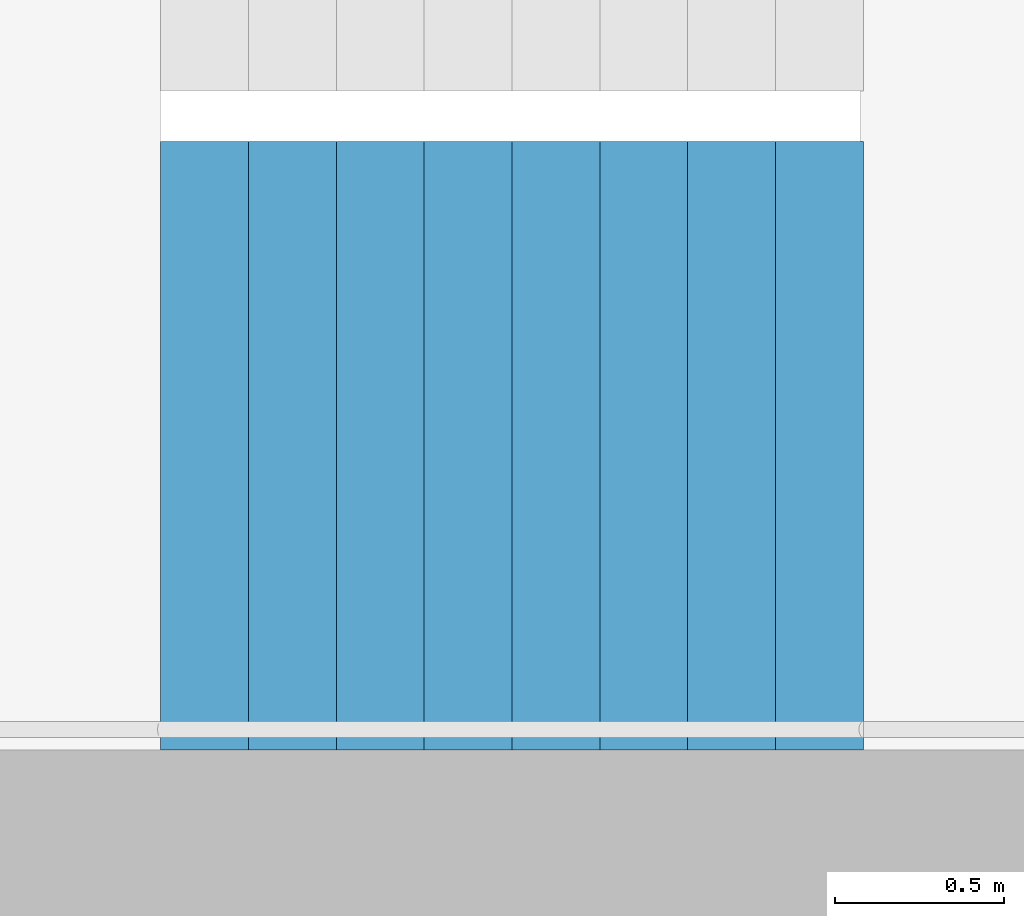
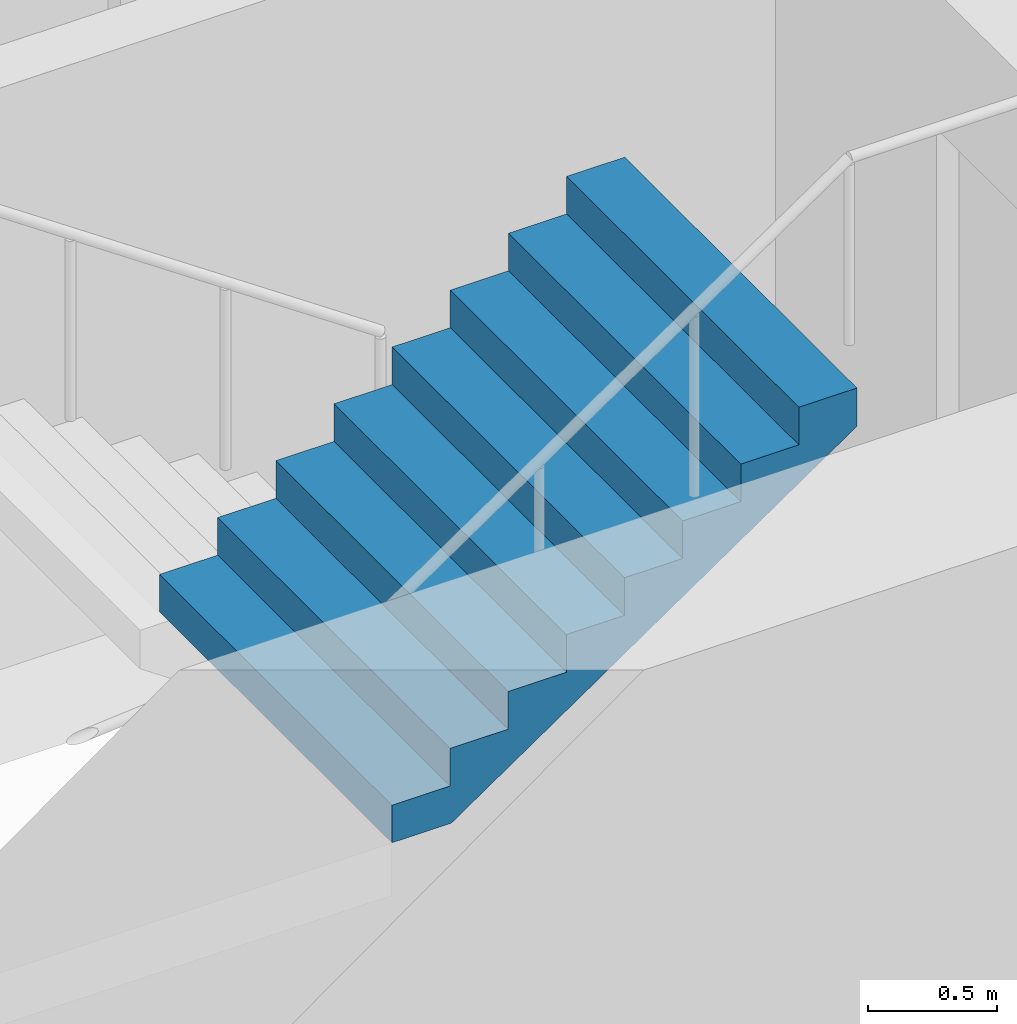
# One storey, part 18 of 26: 1 stair flight, 1 element without a shape of its own.
"""IFC4 building model written with IfcOpenShell, lengths in metres."""

from ifc_helpers import new_model, si_unit, direction, frame, origin, place, context, subcontext, project, spatial, triangles, material, type_object, element, aggregate, save


model = new_model("IFC4")

# Units and contexts
model_context = context("Model", 3, precision=1e-05, world=origin(), true_north=direction((0.0, 1.0)))
body_context = subcontext(model_context, "Body", "Model", "MODEL_VIEW")
ifc_project = project(units=[si_unit("LENGTHUNIT", "METRE"), si_unit("AREAUNIT", "SQUARE_METRE"), si_unit("VOLUMEUNIT", "CUBIC_METRE"), si_unit("PLANEANGLEUNIT", "RADIAN"), si_unit("MASSUNIT", "GRAM", prefix="KILO")], contexts=[model_context])

# Site, building, storey
site_placement = place(None, origin())
site = spatial("IfcSite", under=ifc_project, at=site_placement, CompositionType="ELEMENT")
building_placement = place(site_placement, origin())
building = spatial("IfcBuilding", under=site, at=building_placement, Name="Hakoniwa Tower and Hamabe Station Hall", CompositionType="ELEMENT")
storey_placement = place(building_placement, frame((0.0, 0.0, 159.800048828125)))
storey = spatial("IfcBuildingStorey", under=building, at=storey_placement, Name="L45", CompositionType="ELEMENT", Elevation=159.800048828125)

# Stair, stair flight
ifc_material_1 = material(Name="Concrete C40", Category="concrete")
stair_type = type_object("IfcStairType", Name="ESCAPE STAIR 1800", PredefinedType="HALF_TURN_STAIR", material=ifc_material_1)
stair_placement = place(storey_placement, origin())
stair = element("IfcStair", 1, at=stair_placement, inside=storey, type_object=stair_type, Name="Escape stair ST-2 L45", PredefinedType="HALF_TURN_STAIR")
ifc_material_2 = material(Name="Concrete C40", Category="concrete")
stair_flight_type = type_object("IfcStairFlightType", Name="STAIR FLIGHT 1800", PredefinedType="STRAIGHT", material=ifc_material_2)
stair_flight_placement = place(storey_placement, frame((-25.47998046875, -6.60009765625, 1.599853515625), z_axis=(0.0, 0.0, 1.0), x_axis=(1.0, 0.0, 0.0)))
stair_flight = element("IfcStairFlight", 2, at=stair_flight_placement, type_object=stair_flight_type, Name="ST-2 flight 2", NumberOfRisers=9, NumberOfTreads=8, PredefinedType="STRAIGHT", RiserHeight=0.177777778, TreadLength=0.26, context=body_context, shape_type="Tessellation", body=[
    triangles([(0.0, 0.89990234375, 0.0), (0.260009765625, 0.89990234375, 0.0), (0.265625, 0.89990234375, 0.0), (0.52001953125, 0.89990234375, 0.174072265625), (0.780029296875, 0.89990234375, 0.351806640625), (1.0400390625, 0.89990234375, 0.529541015625), (1.300048828125, 0.89990234375, 0.707275390625), (1.56005859375, 0.89990234375, 0.885009765625), (1.820068359375, 0.89990234375, 1.062744140625), (2.080078125, 0.89990234375, 1.24072265625), (2.080078125, 0.89990234375, 1.422119140625), (1.820068359375, 0.89990234375, 1.422119140625), (1.820068359375, 0.89990234375, 1.244384765625), (1.56005859375, 0.89990234375, 1.244384765625), (1.56005859375, 0.89990234375, 1.066650390625), (1.300048828125, 0.89990234375, 1.066650390625), (1.300048828125, 0.89990234375, 0.888916015625), (1.0400390625, 0.89990234375, 0.888916015625), (1.0400390625, 0.89990234375, 0.711181640625), (0.780029296875, 0.89990234375, 0.711181640625), (0.780029296875, 0.89990234375, 0.533447265625), (0.52001953125, 0.89990234375, 0.533447265625), (0.52001953125, 0.89990234375, 0.35546875), (0.265625, 0.89990234375, 0.35546875), (0.260009765625, 0.89990234375, 0.35546875), (0.260009765625, 0.89990234375, 0.177734375), (0.0, 0.89990234375, 0.177734375), (0.0, 0.06005859375, 0.0), (0.260009765625, 0.06005859375, 0.0), (0.265625, 0.06005859375, 0.0), (0.52001953125, 0.06005859375, 0.174072265625), (0.780029296875, 0.06005859375, 0.351806640625), (1.0400390625, 0.06005859375, 0.529541015625), (1.300048828125, 0.06005859375, 0.707275390625), (1.56005859375, 0.06005859375, 0.885009765625), (1.820068359375, 0.06005859375, 1.062744140625), (2.080078125, 0.06005859375, 1.24072265625), (2.080078125, 0.06005859375, 1.422119140625), (1.820068359375, 0.06005859375, 1.422119140625), (1.820068359375, 0.06005859375, 1.244384765625), (1.56005859375, 0.06005859375, 1.244384765625), (1.56005859375, 0.06005859375, 1.066650390625), (1.300048828125, 0.06005859375, 1.066650390625), (1.300048828125, 0.06005859375, 0.888916015625), (1.0400390625, 0.06005859375, 0.888916015625), (1.0400390625, 0.06005859375, 0.711181640625), (0.780029296875, 0.06005859375, 0.711181640625), (0.780029296875, 0.06005859375, 0.533447265625), (0.52001953125, 0.06005859375, 0.533447265625), (0.52001953125, 0.06005859375, 0.35546875), (0.265625, 0.06005859375, 0.35546875), (0.260009765625, 0.06005859375, 0.35546875), (0.260009765625, 0.06005859375, 0.177734375), (0.0, 0.06005859375, 0.177734375), (0.0, 0.04296875, 0.0), (0.260009765625, 0.04296875, 0.0), (0.265625, 0.04296875, 0.0), (0.52001953125, 0.04296875, 0.174072265625), (0.780029296875, 0.04296875, 0.351806640625), (1.0400390625, 0.04296875, 0.529541015625), (1.300048828125, 0.04296875, 0.707275390625), (1.56005859375, 0.04296875, 0.885009765625), (1.820068359375, 0.04296875, 1.062744140625), (2.080078125, 0.04296875, 1.24072265625), (2.080078125, 0.04296875, 1.422119140625), (1.820068359375, 0.04296875, 1.422119140625), (1.820068359375, 0.04296875, 1.244384765625), (1.56005859375, 0.04296875, 1.244384765625), (1.56005859375, 0.04296875, 1.066650390625), (1.300048828125, 0.04296875, 1.066650390625), (1.300048828125, 0.04296875, 0.888916015625), (1.0400390625, 0.04296875, 0.888916015625), (1.0400390625, 0.04296875, 0.711181640625), (0.780029296875, 0.04296875, 0.711181640625), (0.780029296875, 0.04296875, 0.533447265625), (0.52001953125, 0.04296875, 0.533447265625), (0.52001953125, 0.04296875, 0.35546875), (0.265625, 0.04296875, 0.35546875), (0.260009765625, 0.04296875, 0.35546875), (0.260009765625, 0.04296875, 0.177734375), (0.0, 0.04296875, 0.177734375), (0.0, 0.025634765625, 0.0), (0.260009765625, 0.025634765625, 0.0), (0.265625, 0.025634765625, 0.0), (0.52001953125, 0.025634765625, 0.174072265625), (0.780029296875, 0.025634765625, 0.351806640625), (1.0400390625, 0.025634765625, 0.529541015625), (1.300048828125, 0.025634765625, 0.707275390625), (1.56005859375, 0.025634765625, 0.885009765625), (1.820068359375, 0.025634765625, 1.062744140625), (2.080078125, 0.025634765625, 1.24072265625), (2.080078125, 0.025634765625, 1.422119140625), (1.820068359375, 0.025634765625, 1.422119140625), (1.820068359375, 0.025634765625, 1.244384765625), (1.56005859375, 0.025634765625, 1.244384765625), (1.56005859375, 0.025634765625, 1.066650390625), (1.300048828125, 0.025634765625, 1.066650390625), (1.300048828125, 0.025634765625, 0.888916015625), (1.0400390625, 0.025634765625, 0.888916015625), (1.0400390625, 0.025634765625, 0.711181640625), (0.780029296875, 0.025634765625, 0.711181640625), (0.780029296875, 0.025634765625, 0.533447265625), (0.52001953125, 0.025634765625, 0.533447265625), (0.52001953125, 0.025634765625, 0.35546875), (0.265625, 0.025634765625, 0.35546875), (0.260009765625, 0.025634765625, 0.35546875), (0.260009765625, 0.025634765625, 0.177734375), (0.0, 0.025634765625, 0.177734375), (0.0, 0.008544921875, 0.0), (0.260009765625, 0.008544921875, 0.0), (0.265625, 0.008544921875, 0.0), (0.52001953125, 0.008544921875, 0.174072265625), (0.780029296875, 0.008544921875, 0.351806640625), (1.0400390625, 0.008544921875, 0.529541015625), (1.300048828125, 0.008544921875, 0.707275390625), (1.56005859375, 0.008544921875, 0.885009765625), (1.820068359375, 0.008544921875, 1.062744140625), (2.080078125, 0.008544921875, 1.24072265625), (2.080078125, 0.008544921875, 1.422119140625), (1.820068359375, 0.008544921875, 1.422119140625), (1.820068359375, 0.008544921875, 1.244384765625), (1.56005859375, 0.008544921875, 1.244384765625), (1.56005859375, 0.008544921875, 1.066650390625), (1.300048828125, 0.008544921875, 1.066650390625), (1.300048828125, 0.008544921875, 0.888916015625), (1.0400390625, 0.008544921875, 0.888916015625), (1.0400390625, 0.008544921875, 0.711181640625), (0.780029296875, 0.008544921875, 0.711181640625), (0.780029296875, 0.008544921875, 0.533447265625), (0.52001953125, 0.008544921875, 0.533447265625), (0.52001953125, 0.008544921875, 0.35546875), (0.265625, 0.008544921875, 0.35546875), (0.260009765625, 0.008544921875, 0.35546875), (0.260009765625, 0.008544921875, 0.177734375), (0.0, 0.008544921875, 0.177734375), (0.0, -0.008544921875, 0.0), (0.260009765625, -0.008544921875, 0.0), (0.265625, -0.008544921875, 0.0), (0.52001953125, -0.008544921875, 0.174072265625), (0.780029296875, -0.008544921875, 0.351806640625), (1.0400390625, -0.008544921875, 0.529541015625), (1.300048828125, -0.008544921875, 0.707275390625), (1.56005859375, -0.008544921875, 0.885009765625), (1.820068359375, -0.008544921875, 1.062744140625), (2.080078125, -0.008544921875, 1.24072265625), (2.080078125, -0.008544921875, 1.422119140625), (1.820068359375, -0.008544921875, 1.422119140625), (1.820068359375, -0.008544921875, 1.244384765625), (1.56005859375, -0.008544921875, 1.244384765625), (1.56005859375, -0.008544921875, 1.066650390625), (1.300048828125, -0.008544921875, 1.066650390625), (1.300048828125, -0.008544921875, 0.888916015625), (1.0400390625, -0.008544921875, 0.888916015625), (1.0400390625, -0.008544921875, 0.711181640625), (0.780029296875, -0.008544921875, 0.711181640625), (0.780029296875, -0.008544921875, 0.533447265625), (0.52001953125, -0.008544921875, 0.533447265625), (0.52001953125, -0.008544921875, 0.35546875), (0.265625, -0.008544921875, 0.35546875), (0.260009765625, -0.008544921875, 0.35546875), (0.260009765625, -0.008544921875, 0.177734375), (0.0, -0.008544921875, 0.177734375), (0.0, -0.025634765625, 0.0), (0.260009765625, -0.025634765625, 0.0), (0.265625, -0.025634765625, 0.0), (0.52001953125, -0.025634765625, 0.174072265625), (0.780029296875, -0.025634765625, 0.351806640625), (1.0400390625, -0.025634765625, 0.529541015625), (1.300048828125, -0.025634765625, 0.707275390625), (1.56005859375, -0.025634765625, 0.885009765625), (1.820068359375, -0.025634765625, 1.062744140625), (2.080078125, -0.025634765625, 1.24072265625), (2.080078125, -0.025634765625, 1.422119140625), (1.820068359375, -0.025634765625, 1.422119140625), (1.820068359375, -0.025634765625, 1.244384765625), (1.56005859375, -0.025634765625, 1.244384765625), (1.56005859375, -0.025634765625, 1.066650390625), (1.300048828125, -0.025634765625, 1.066650390625), (1.300048828125, -0.025634765625, 0.888916015625), (1.0400390625, -0.025634765625, 0.888916015625), (1.0400390625, -0.025634765625, 0.711181640625), (0.780029296875, -0.025634765625, 0.711181640625), (0.780029296875, -0.025634765625, 0.533447265625), (0.52001953125, -0.025634765625, 0.533447265625), (0.52001953125, -0.025634765625, 0.35546875), (0.265625, -0.025634765625, 0.35546875), (0.260009765625, -0.025634765625, 0.35546875), (0.260009765625, -0.025634765625, 0.177734375), (0.0, -0.025634765625, 0.177734375), (0.0, -0.04296875, 0.0), (0.260009765625, -0.04296875, 0.0), (0.265625, -0.04296875, 0.0), (0.52001953125, -0.04296875, 0.174072265625), (0.780029296875, -0.04296875, 0.351806640625), (1.0400390625, -0.04296875, 0.529541015625), (1.300048828125, -0.04296875, 0.707275390625), (1.56005859375, -0.04296875, 0.885009765625), (1.820068359375, -0.04296875, 1.062744140625), (2.080078125, -0.04296875, 1.24072265625), (2.080078125, -0.04296875, 1.422119140625), (1.820068359375, -0.04296875, 1.422119140625), (1.820068359375, -0.04296875, 1.244384765625), (1.56005859375, -0.04296875, 1.244384765625), (1.56005859375, -0.04296875, 1.066650390625), (1.300048828125, -0.04296875, 1.066650390625), (1.300048828125, -0.04296875, 0.888916015625), (1.0400390625, -0.04296875, 0.888916015625), (1.0400390625, -0.04296875, 0.711181640625), (0.780029296875, -0.04296875, 0.711181640625), (0.780029296875, -0.04296875, 0.533447265625), (0.52001953125, -0.04296875, 0.533447265625), (0.52001953125, -0.04296875, 0.35546875), (0.265625, -0.04296875, 0.35546875), (0.260009765625, -0.04296875, 0.35546875), (0.260009765625, -0.04296875, 0.177734375), (0.0, -0.04296875, 0.177734375), (0.0, -0.06005859375, 0.0), (0.260009765625, -0.06005859375, 0.0), (0.265625, -0.06005859375, 0.0), (0.52001953125, -0.06005859375, 0.174072265625), (0.780029296875, -0.06005859375, 0.351806640625), (1.0400390625, -0.06005859375, 0.529541015625), (1.300048828125, -0.06005859375, 0.707275390625), (1.56005859375, -0.06005859375, 0.885009765625), (1.820068359375, -0.06005859375, 1.062744140625), (2.080078125, -0.06005859375, 1.24072265625), (2.080078125, -0.06005859375, 1.422119140625), (1.820068359375, -0.06005859375, 1.422119140625), (1.820068359375, -0.06005859375, 1.244384765625), (1.56005859375, -0.06005859375, 1.244384765625), (1.56005859375, -0.06005859375, 1.066650390625), (1.300048828125, -0.06005859375, 1.066650390625), (1.300048828125, -0.06005859375, 0.888916015625), (1.0400390625, -0.06005859375, 0.888916015625), (1.0400390625, -0.06005859375, 0.711181640625), (0.780029296875, -0.06005859375, 0.711181640625), (0.780029296875, -0.06005859375, 0.533447265625), (0.52001953125, -0.06005859375, 0.533447265625), (0.52001953125, -0.06005859375, 0.35546875), (0.265625, -0.06005859375, 0.35546875), (0.260009765625, -0.06005859375, 0.35546875), (0.260009765625, -0.06005859375, 0.177734375), (0.0, -0.06005859375, 0.177734375), (0.0, -0.89990234375, 0.0), (0.260009765625, -0.89990234375, 0.0), (0.265625, -0.89990234375, 0.0), (0.52001953125, -0.89990234375, 0.174072265625), (0.780029296875, -0.89990234375, 0.351806640625), (1.0400390625, -0.89990234375, 0.529541015625), (1.300048828125, -0.89990234375, 0.707275390625), (1.56005859375, -0.89990234375, 0.885009765625), (1.820068359375, -0.89990234375, 1.062744140625), (2.080078125, -0.89990234375, 1.24072265625), (2.080078125, -0.89990234375, 1.422119140625), (1.820068359375, -0.89990234375, 1.422119140625), (1.820068359375, -0.89990234375, 1.244384765625), (1.56005859375, -0.89990234375, 1.244384765625), (1.56005859375, -0.89990234375, 1.066650390625), (1.300048828125, -0.89990234375, 1.066650390625), (1.300048828125, -0.89990234375, 0.888916015625), (1.0400390625, -0.89990234375, 0.888916015625), (1.0400390625, -0.89990234375, 0.711181640625), (0.780029296875, -0.89990234375, 0.711181640625), (0.780029296875, -0.89990234375, 0.533447265625), (0.52001953125, -0.89990234375, 0.533447265625), (0.52001953125, -0.89990234375, 0.35546875), (0.265625, -0.89990234375, 0.35546875), (0.260009765625, -0.89990234375, 0.35546875), (0.260009765625, -0.89990234375, 0.177734375), (0.0, -0.89990234375, 0.177734375)], [[2, 27, 26], [245, 269, 270], [2, 1, 27], [245, 270, 244], [3, 25, 24], [246, 267, 268], [3, 26, 25], [246, 268, 269], [3, 2, 26], [246, 269, 245], [4, 24, 23], [247, 266, 267], [4, 3, 24], [247, 267, 246], [5, 22, 21], [248, 264, 265], [5, 23, 22], [248, 265, 266], [5, 4, 23], [248, 266, 247], [6, 20, 19], [249, 262, 263], [6, 21, 20], [249, 263, 264], [6, 5, 21], [249, 264, 248], [7, 18, 17], [250, 260, 261], [7, 19, 18], [250, 261, 262], [7, 6, 19], [250, 262, 249], [8, 16, 15], [251, 258, 259], [8, 17, 16], [251, 259, 260], [8, 7, 17], [251, 260, 250], [9, 14, 13], [252, 256, 257], [9, 15, 14], [252, 257, 258], [9, 8, 15], [252, 258, 251], [10, 12, 11], [253, 254, 255], [10, 13, 12], [253, 255, 256], [10, 9, 13], [253, 256, 252], [1, 2, 29], [1, 29, 28], [28, 29, 56], [28, 56, 55], [55, 56, 83], [55, 83, 82], [82, 83, 110], [82, 110, 109], [109, 110, 137], [109, 137, 136], [136, 137, 164], [136, 164, 163], [163, 164, 191], [163, 191, 190], [190, 191, 218], [190, 218, 217], [217, 218, 245], [217, 245, 244], [2, 3, 30], [2, 30, 29], [29, 30, 57], [29, 57, 56], [56, 57, 84], [56, 84, 83], [83, 84, 111], [83, 111, 110], [110, 111, 138], [110, 138, 137], [137, 138, 165], [137, 165, 164], [164, 165, 192], [164, 192, 191], [191, 192, 219], [191, 219, 218], [218, 219, 246], [218, 246, 245], [3, 4, 31], [3, 31, 30], [30, 31, 58], [30, 58, 57], [57, 58, 85], [57, 85, 84], [84, 85, 112], [84, 112, 111], [111, 112, 139], [111, 139, 138], [138, 139, 166], [138, 166, 165], [165, 166, 193], [165, 193, 192], [192, 193, 220], [192, 220, 219], [219, 220, 247], [219, 247, 246], [4, 5, 32], [4, 32, 31], [31, 32, 59], [31, 59, 58], [58, 59, 86], [58, 86, 85], [85, 86, 113], [85, 113, 112], [112, 113, 140], [112, 140, 139], [139, 140, 167], [139, 167, 166], [166, 167, 194], [166, 194, 193], [193, 194, 221], [193, 221, 220], [220, 221, 248], [220, 248, 247], [5, 6, 33], [5, 33, 32], [32, 33, 60], [32, 60, 59], [59, 60, 87], [59, 87, 86], [86, 87, 114], [86, 114, 113], [113, 114, 141], [113, 141, 140], [140, 141, 168], [140, 168, 167], [167, 168, 195], [167, 195, 194], [194, 195, 222], [194, 222, 221], [221, 222, 249], [221, 249, 248], [6, 7, 34], [6, 34, 33], [33, 34, 61], [33, 61, 60], [60, 61, 88], [60, 88, 87], [87, 88, 115], [87, 115, 114], [114, 115, 142], [114, 142, 141], [141, 142, 169], [141, 169, 168], [168, 169, 196], [168, 196, 195], [195, 196, 223], [195, 223, 222], [222, 223, 250], [222, 250, 249], [7, 8, 35], [7, 35, 34], [34, 35, 62], [34, 62, 61], [61, 62, 89], [61, 89, 88], [88, 89, 116], [88, 116, 115], [115, 116, 143], [115, 143, 142], [142, 143, 170], [142, 170, 169], [169, 170, 197], [169, 197, 196], [196, 197, 224], [196, 224, 223], [223, 224, 251], [223, 251, 250], [8, 9, 36], [8, 36, 35], [35, 36, 63], [35, 63, 62], [62, 63, 90], [62, 90, 89], [89, 90, 117], [89, 117, 116], [116, 117, 144], [116, 144, 143], [143, 144, 171], [143, 171, 170], [170, 171, 198], [170, 198, 197], [197, 198, 225], [197, 225, 224], [224, 225, 252], [224, 252, 251], [9, 10, 37], [9, 37, 36], [36, 37, 64], [36, 64, 63], [63, 64, 91], [63, 91, 90], [90, 91, 118], [90, 118, 117], [117, 118, 145], [117, 145, 144], [144, 145, 172], [144, 172, 171], [171, 172, 199], [171, 199, 198], [198, 199, 226], [198, 226, 225], [225, 226, 253], [225, 253, 252], [10, 11, 38], [10, 38, 37], [37, 38, 65], [37, 65, 64], [64, 65, 92], [64, 92, 91], [91, 92, 119], [91, 119, 118], [118, 119, 146], [118, 146, 145], [145, 146, 173], [145, 173, 172], [172, 173, 200], [172, 200, 199], [199, 200, 227], [199, 227, 226], [226, 227, 254], [226, 254, 253], [11, 12, 39], [11, 39, 38], [38, 39, 66], [38, 66, 65], [65, 66, 93], [65, 93, 92], [92, 93, 120], [92, 120, 119], [119, 120, 147], [119, 147, 146], [146, 147, 174], [146, 174, 173], [173, 174, 201], [173, 201, 200], [200, 201, 228], [200, 228, 227], [227, 228, 255], [227, 255, 254], [12, 13, 40], [12, 40, 39], [39, 40, 67], [39, 67, 66], [66, 67, 94], [66, 94, 93], [93, 94, 121], [93, 121, 120], [120, 121, 148], [120, 148, 147], [147, 148, 175], [147, 175, 174], [174, 175, 202], [174, 202, 201], [201, 202, 229], [201, 229, 228], [228, 229, 256], [228, 256, 255], [13, 14, 41], [13, 41, 40], [40, 41, 68], [40, 68, 67], [67, 68, 95], [67, 95, 94], [94, 95, 122], [94, 122, 121], [121, 122, 149], [121, 149, 148], [148, 149, 176], [148, 176, 175], [175, 176, 203], [175, 203, 202], [202, 203, 230], [202, 230, 229], [229, 230, 257], [229, 257, 256], [14, 15, 42], [14, 42, 41], [41, 42, 69], [41, 69, 68], [68, 69, 96], [68, 96, 95], [95, 96, 123], [95, 123, 122], [122, 123, 150], [122, 150, 149], [149, 150, 177], [149, 177, 176], [176, 177, 204], [176, 204, 203], [203, 204, 231], [203, 231, 230], [230, 231, 258], [230, 258, 257], [15, 16, 43], [15, 43, 42], [42, 43, 70], [42, 70, 69], [69, 70, 97], [69, 97, 96], [96, 97, 124], [96, 124, 123], [123, 124, 151], [123, 151, 150], [150, 151, 178], [150, 178, 177], [177, 178, 205], [177, 205, 204], [204, 205, 232], [204, 232, 231], [231, 232, 259], [231, 259, 258], [16, 17, 44], [16, 44, 43], [43, 44, 71], [43, 71, 70], [70, 71, 98], [70, 98, 97], [97, 98, 125], [97, 125, 124], [124, 125, 152], [124, 152, 151], [151, 152, 179], [151, 179, 178], [178, 179, 206], [178, 206, 205], [205, 206, 233], [205, 233, 232], [232, 233, 260], [232, 260, 259], [17, 18, 45], [17, 45, 44], [44, 45, 72], [44, 72, 71], [71, 72, 99], [71, 99, 98], [98, 99, 126], [98, 126, 125], [125, 126, 153], [125, 153, 152], [152, 153, 180], [152, 180, 179], [179, 180, 207], [179, 207, 206], [206, 207, 234], [206, 234, 233], [233, 234, 261], [233, 261, 260], [18, 19, 46], [18, 46, 45], [45, 46, 73], [45, 73, 72], [72, 73, 100], [72, 100, 99], [99, 100, 127], [99, 127, 126], [126, 127, 154], [126, 154, 153], [153, 154, 181], [153, 181, 180], [180, 181, 208], [180, 208, 207], [207, 208, 235], [207, 235, 234], [234, 235, 262], [234, 262, 261], [19, 20, 47], [19, 47, 46], [46, 47, 74], [46, 74, 73], [73, 74, 101], [73, 101, 100], [100, 101, 128], [100, 128, 127], [127, 128, 155], [127, 155, 154], [154, 155, 182], [154, 182, 181], [181, 182, 209], [181, 209, 208], [208, 209, 236], [208, 236, 235], [235, 236, 263], [235, 263, 262], [20, 21, 48], [20, 48, 47], [47, 48, 75], [47, 75, 74], [74, 75, 102], [74, 102, 101], [101, 102, 129], [101, 129, 128], [128, 129, 156], [128, 156, 155], [155, 156, 183], [155, 183, 182], [182, 183, 210], [182, 210, 209], [209, 210, 237], [209, 237, 236], [236, 237, 264], [236, 264, 263], [21, 22, 49], [21, 49, 48], [48, 49, 76], [48, 76, 75], [75, 76, 103], [75, 103, 102], [102, 103, 130], [102, 130, 129], [129, 130, 157], [129, 157, 156], [156, 157, 184], [156, 184, 183], [183, 184, 211], [183, 211, 210], [210, 211, 238], [210, 238, 237], [237, 238, 265], [237, 265, 264], [22, 23, 50], [22, 50, 49], [49, 50, 77], [49, 77, 76], [76, 77, 104], [76, 104, 103], [103, 104, 131], [103, 131, 130], [130, 131, 158], [130, 158, 157], [157, 158, 185], [157, 185, 184], [184, 185, 212], [184, 212, 211], [211, 212, 239], [211, 239, 238], [238, 239, 266], [238, 266, 265], [23, 24, 51], [23, 51, 50], [50, 51, 78], [50, 78, 77], [77, 78, 105], [77, 105, 104], [104, 105, 132], [104, 132, 131], [131, 132, 159], [131, 159, 158], [158, 159, 186], [158, 186, 185], [185, 186, 213], [185, 213, 212], [212, 213, 240], [212, 240, 239], [239, 240, 267], [239, 267, 266], [24, 25, 52], [24, 52, 51], [51, 52, 79], [51, 79, 78], [78, 79, 106], [78, 106, 105], [105, 106, 133], [105, 133, 132], [132, 133, 160], [132, 160, 159], [159, 160, 187], [159, 187, 186], [186, 187, 214], [186, 214, 213], [213, 214, 241], [213, 241, 240], [240, 241, 268], [240, 268, 267], [25, 26, 53], [25, 53, 52], [52, 53, 80], [52, 80, 79], [79, 80, 107], [79, 107, 106], [106, 107, 134], [106, 134, 133], [133, 134, 161], [133, 161, 160], [160, 161, 188], [160, 188, 187], [187, 188, 215], [187, 215, 214], [214, 215, 242], [214, 242, 241], [241, 242, 269], [241, 269, 268], [26, 27, 54], [26, 54, 53], [53, 54, 81], [53, 81, 80], [80, 81, 108], [80, 108, 107], [107, 108, 135], [107, 135, 134], [134, 135, 162], [134, 162, 161], [161, 162, 189], [161, 189, 188], [188, 189, 216], [188, 216, 215], [215, 216, 243], [215, 243, 242], [242, 243, 270], [242, 270, 269], [27, 1, 28], [27, 28, 54], [54, 28, 55], [54, 55, 81], [81, 55, 82], [81, 82, 108], [108, 82, 109], [108, 109, 135], [135, 109, 136], [135, 136, 162], [162, 136, 163], [162, 163, 189], [189, 163, 190], [189, 190, 216], [216, 190, 217], [216, 217, 243], [243, 217, 244], [243, 244, 270]], closed=True),
])
aggregate(stair, [stair_flight])

save(model, "model.ifc")
